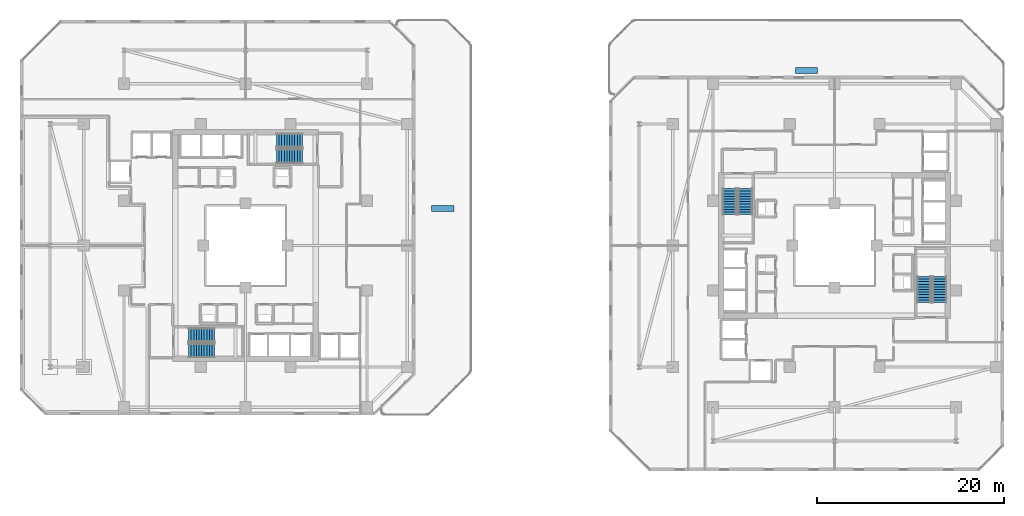
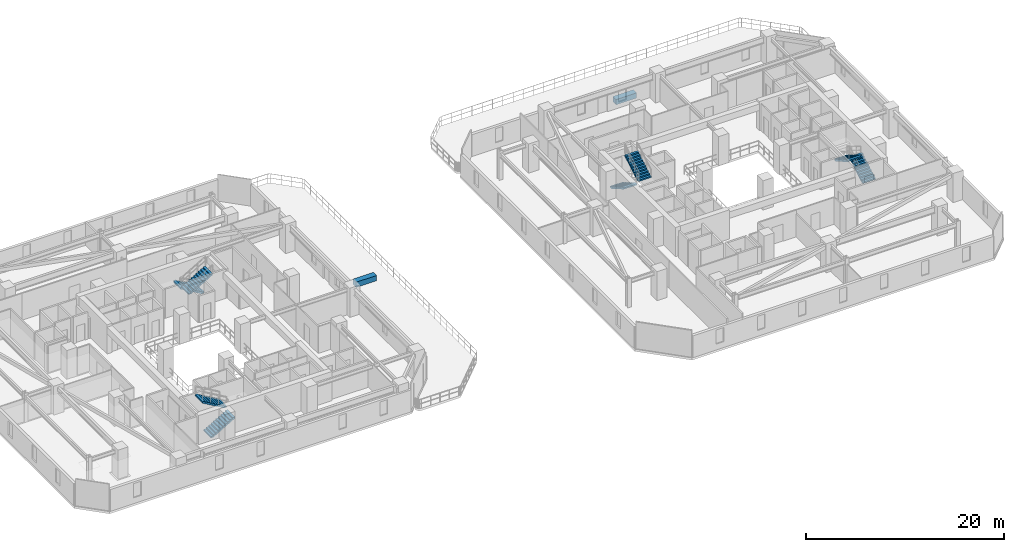
# One storey, part 28 of 33: 8 stair flights, 2 discrete accessories, 4 elements without a shape of their own.
"""IFC4 building model written with IfcOpenShell, lengths in metres."""

import ifcopenshell
import ifcopenshell.guid

model = None  # the IFC model being written
_history = None  # IfcOwnerHistory: only IFC2X3 demands one
_inside = {}  # id of a spatial element -> (the spatial element, [elements in it])
_under = {}  # id of a project, library or spatial element -> (it, [spatial elements below it])
_declared = {}  # id of a project -> (the project, [libraries it declares])
_typed = {}  # id of a type object -> (the type object, [elements of that type])
_made_of = {}  # id of a material, layer set ... -> (it, [elements and type objects made of it])


def new_model(schema):
    """Start an empty IFC model of exactly this schema.

    Asked for "IFC4X3", IfcOpenShell would pick the latest addendum, in which some entities
    have other attributes; the version numbers below select the first issue.
    IFC2X3 requires an IfcOwnerHistory on every rooted entity: one is made here for all.
    """
    global model, _history
    if schema == "IFC4X3":
        model = ifcopenshell.file(schema_version=(4, 3, 0, 0))
    else:
        model = ifcopenshell.file(schema=schema)
    _inside.clear()
    _under.clear()
    _declared.clear()
    _typed.clear()
    _made_of.clear()
    _history = None
    if model.schema == "IFC2X3":
        org = make("IfcOrganization", Name="unknown")
        user = make(
            "IfcPersonAndOrganization",
            ThePerson=make("IfcPerson", FamilyName="unknown"),
            TheOrganization=org,
        )
        app = make(
            "IfcApplication",
            ApplicationDeveloper=org,
            Version="unknown",
            ApplicationFullName="unknown",
            ApplicationIdentifier="unknown",
        )
        _history = make(
            "IfcOwnerHistory",
            OwningUser=user,
            OwningApplication=app,
            ChangeAction="ADDED",
            CreationDate=0,
        )
    return model


def make(cls, **values):
    """One entity of the class cls with the attributes given. An attribute that is None is left unset."""
    return model.create_entity(
        cls, **{name: value for name, value in values.items() if value is not None}
    )


def rooted(cls, **values):
    """An entity with a GlobalId (a new one), such as an element, a storey or a relation."""
    return make(cls, GlobalId=ifcopenshell.guid.new(), OwnerHistory=_history, **values)


def si_unit(unit_type, name, prefix=None):
    """IfcSIUnit, for example si_unit("LENGTHUNIT", "METRE", prefix="MILLI")."""
    return make("IfcSIUnit", UnitType=unit_type, Prefix=prefix, Name=name)


def assignment(units):
    """IfcUnitAssignment: the units of a project."""
    return None if units is None else make("IfcUnitAssignment", Units=units)


def point(xyz):
    """IfcCartesianPoint."""
    return None if xyz is None else make("IfcCartesianPoint", Coordinates=xyz)


def direction(xyz):
    """IfcDirection."""
    return None if xyz is None else make("IfcDirection", DirectionRatios=xyz)


def frame(location, z_axis=None, x_axis=None):
    """IfcAxis2Placement3D, a coordinate frame: its origin and axes. An axis left out is left unset."""
    return make(
        "IfcAxis2Placement3D",
        Location=point(location),
        Axis=direction(z_axis),
        RefDirection=direction(x_axis),
    )


def frame_2d(location, x_axis=None):
    """IfcAxis2Placement2D, a coordinate frame in the plane: its origin and x axis."""
    return make(
        "IfcAxis2Placement2D", Location=point(location), RefDirection=direction(x_axis)
    )


def origin():
    """The frame at (0, 0, 0) with its axes left unset."""
    return frame((0.0, 0.0, 0.0))


def origin_2d():
    """The frame at (0, 0) in the plane with its x axis left unset."""
    return frame_2d((0.0, 0.0))


def place(relative_to, where):
    """IfcLocalPlacement: puts the frame where relative to a parent placement (None: the world)."""
    return make(
        "IfcLocalPlacement", PlacementRelTo=relative_to, RelativePlacement=where
    )


def context(
    kind, dimensions, precision=None, world=None, true_north=None, identifier=None
):
    """IfcGeometricRepresentationContext, for example the 3D "Model" context."""
    return make(
        "IfcGeometricRepresentationContext",
        ContextIdentifier=identifier,
        ContextType=kind,
        CoordinateSpaceDimension=dimensions,
        Precision=precision,
        WorldCoordinateSystem=world,
        TrueNorth=true_north,
    )


def subcontext(parent, identifier, kind, view, scale=None):
    """IfcGeometricRepresentationSubContext, for example "Body" below "Model"."""
    return make(
        "IfcGeometricRepresentationSubContext",
        ContextIdentifier=identifier,
        ContextType=kind,
        ParentContext=parent,
        TargetScale=scale,
        TargetView=view,
    )


def project(units=None, contexts=None):
    """IfcProject with its units and contexts."""
    return rooted(
        "IfcProject",
        Name="project",
        RepresentationContexts=contexts,
        UnitsInContext=assignment(units),
    )


def spatial(cls, under=None, at=None, **own):
    """A site, building, storey or space (cls), placed at a placement, below another one or the project."""
    s = rooted(cls, ObjectPlacement=at, **own)
    if under is not None:
        _under.setdefault(under.id(), (under, []))[1].append(s)
    return s


def polyline(points):
    """IfcPolyline through the points."""
    return make("IfcPolyline", Points=[point(p) for p in points])


def profile(cls, at=None, kind="AREA", **sizes):
    """A parametric profile (cls). Its sizes go by their IFC names, for example OverallWidth=200.0."""
    return make(cls, ProfileType=kind, Position=at, **sizes)


def rectangle(**sizes):
    """IfcRectangleProfileDef."""
    return profile("IfcRectangleProfileDef", **sizes)


def outline(outer, holes=None, kind="AREA"):
    """IfcArbitraryClosedProfileDef: a profile drawn as a closed curve; with holes, ...WithVoids."""
    if holes is None:
        return make("IfcArbitraryClosedProfileDef", ProfileType=kind, OuterCurve=outer)
    return make(
        "IfcArbitraryProfileDefWithVoids",
        ProfileType=kind,
        OuterCurve=outer,
        InnerCurves=holes,
    )


def extrude(swept, where, along, depth):
    """IfcExtrudedAreaSolid: the profile swept, set in the frame where, extruded along a direction by depth."""
    return make(
        "IfcExtrudedAreaSolid",
        SweptArea=swept,
        Position=where,
        ExtrudedDirection=direction(along),
        Depth=depth,
    )


def shape(context_of_items, identifier, shape_type, items):
    """IfcShapeRepresentation: the items that make up one representation, for example the "Body"."""
    return make(
        "IfcShapeRepresentation",
        ContextOfItems=context_of_items,
        RepresentationIdentifier=identifier,
        RepresentationType=shape_type,
        Items=items,
    )


def material(Name=None, Category=None):
    """IfcMaterial."""
    return make("IfcMaterial", Name=Name, Category=Category)


def made_of(thing, what):
    """Note that an element or type object is made of a material, layer set ...; save() writes the relation."""
    if what is not None:
        _made_of.setdefault(what.id(), (what, []))[1].append(thing)
    return thing


def type_object(cls, material=None, **own):
    """A type object (cls), such as IfcWallType, which elements share."""
    return made_of(rooted(cls, **own), material)


def element(
    cls,
    number,
    at=None,
    inside=None,
    cuts=None,
    type_object=None,
    material=None,
    context=None,
    identifier="Body",
    shape_type=None,
    held_by="IfcProductDefinitionShape",
    body=None,
    shapes=None,
    **own,
):
    """One element of the class cls, such as IfcWall. Its Tag is "e" and its number.

    at: its placement. inside: the storey or other place that contains it. cuts: it is an
    opening in that element (IfcRelVoidsElement). A single representation is given by context,
    identifier, shape_type and body (its items); several are given by shapes. held_by: the class
    of the entity that holds the representations. save() writes the other relations.
    """
    e = rooted(cls, Tag="e%d" % number, ObjectPlacement=at, **own)
    if body is not None:
        shapes = [shape(context, identifier, shape_type, body)]
    if shapes is not None:
        e.Representation = make(held_by, Representations=shapes)
    if inside is not None:
        _inside.setdefault(inside.id(), (inside, []))[1].append(e)
    if cuts is not None:
        rooted(
            "IfcRelVoidsElement", RelatingBuildingElement=cuts, RelatedOpeningElement=e
        )
    if type_object is not None:
        _typed.setdefault(type_object.id(), (type_object, []))[1].append(e)
    return made_of(e, material)


def aggregate(whole, parts):
    """IfcRelAggregates: a whole, such as a stair, and the parts it consists of."""
    return rooted("IfcRelAggregates", RelatingObject=whole, RelatedObjects=parts)


def save(model, path):
    """Write the relations noted so far, then the file.

    IfcRelAggregates (storeys below a building ...), IfcRelContainedInSpatialStructure (elements
    in a storey), IfcRelDefinesByType, IfcRelAssociatesMaterial and IfcRelDeclares: one each for
    every whole, place, type object, material and project.
    """
    for whole, parts in _under.values():
        aggregate(whole, parts)
    for where, things in _inside.values():
        rooted(
            "IfcRelContainedInSpatialStructure",
            RelatedElements=things,
            RelatingStructure=where,
        )
    for kind, things in _typed.values():
        rooted("IfcRelDefinesByType", RelatedObjects=things, RelatingType=kind)
    for what, things in _made_of.values():
        rooted("IfcRelAssociatesMaterial", RelatedObjects=things, RelatingMaterial=what)
    for by, libraries in _declared.values():
        rooted("IfcRelDeclares", RelatingContext=by, RelatedDefinitions=libraries)
    model.write(path)


model = new_model("IFC4")

# Units and contexts
model_context = context("Model", 3, precision=1e-05, world=origin(), true_north=direction((0.0, 1.0)))
body_context = subcontext(model_context, "Body", "Model", "MODEL_VIEW")
ifc_project = project(units=[si_unit("LENGTHUNIT", "METRE"), si_unit("AREAUNIT", "SQUARE_METRE"), si_unit("VOLUMEUNIT", "CUBIC_METRE"), si_unit("PLANEANGLEUNIT", "RADIAN"), si_unit("MASSUNIT", "GRAM", prefix="KILO")], contexts=[model_context])

# Site, building, storey
site_placement = place(None, origin())
site = spatial("IfcSite", under=ifc_project, at=site_placement, CompositionType="ELEMENT")
building_placement = place(site_placement, origin())
building = spatial("IfcBuilding", under=site, at=building_placement, Name="Thornwick Lancets Civic Towers", CompositionType="ELEMENT")
storey_placement = place(building_placement, frame((0.0, 0.0, 98.10009765625)))
storey = spatial("IfcBuildingStorey", under=building, at=storey_placement, Name="L25", CompositionType="ELEMENT", Elevation=98.10009765625)

# Stair, stair flights
ifc_material_1 = material(Name="Concrete C40/50", Category="concrete")
stair_type = type_object("IfcStairType", Name="STAIR_DL_3600", PredefinedType="HALF_TURN_STAIR", material=ifc_material_1)
stair_1_placement = place(storey_placement, origin())
stair_1 = element("IfcStair", 1, at=stair_1_placement, inside=storey, type_object=stair_type, Name="L25 Tower A South Exit Stair ST-A1", PredefinedType="HALF_TURN_STAIR")
stair_flight_type = type_object("IfcStairFlightType", Name="FLIGHT_3600", PredefinedType="STRAIGHT", material=ifc_material_1)
stair_flight_1_placement = place(storey_placement, frame((19.39990234375, 15.75, 0.0), z_axis=(0.0, 0.0, 1.0), x_axis=(1.0, 0.0, 0.0)))
stair_flight_1 = element("IfcStairFlight", 2, at=stair_flight_1_placement, type_object=stair_flight_type, Name="ST-A1 flight 1", NumberOfRisers=11, NumberOfTreads=10, PredefinedType="STRAIGHT", RiserHeight=0.163636364, TreadLength=0.28, context=body_context, shape_type="SweptSolid", body=[
    extrude(outline(polyline([(0.0, 0.0), (0.0, 0.16357421875), (0.280029296875, 0.16357421875), (0.280029296875, 0.327392578125), (0.56005859375, 0.327392578125), (0.56005859375, 0.490966796875), (0.840087890625, 0.490966796875), (0.840087890625, 0.654541015625), (1.1201171875, 0.654541015625), (1.1201171875, 0.818115234375), (1.39990234375, 0.818115234375), (1.39990234375, 0.98193359375), (1.679931640625, 0.98193359375), (1.679931640625, 1.1455078125), (1.9599609375, 1.1455078125), (1.9599609375, 1.30908203125), (2.239990234375, 1.30908203125), (2.239990234375, 1.47265625), (2.52001953125, 1.47265625), (2.52001953125, 1.636474609375), (2.800048828125, 1.636474609375), (2.800048828125, 1.800048828125), (2.800048828125, 1.462646484375), (0.297119140625, 0.0), (0.0, 0.0)])), frame((0.0, 0.75, 0.0), z_axis=(0.0, -1.0, 0.0), x_axis=(1.0, 0.0, 0.0)), (0.0, 0.0, 1.0), 1.5),
])
stair_flight_2_placement = place(storey_placement, frame((22.199951171875, 17.449951171875, 1.7998046875), z_axis=(0.0, 0.0, 1.0), x_axis=(-1.0, 0.0, 0.0)))
stair_flight_2 = element("IfcStairFlight", 3, at=stair_flight_2_placement, type_object=stair_flight_type, Name="ST-A1 flight 2", NumberOfRisers=11, NumberOfTreads=10, PredefinedType="STRAIGHT", RiserHeight=0.163636364, TreadLength=0.28, context=body_context, shape_type="SweptSolid", body=[
    extrude(outline(polyline([(0.0, 0.0), (0.0, 0.16357421875), (0.280029296875, 0.16357421875), (0.280029296875, 0.327392578125), (0.56005859375, 0.327392578125), (0.56005859375, 0.490966796875), (0.840087890625, 0.490966796875), (0.840087890625, 0.654541015625), (1.1201171875, 0.654541015625), (1.1201171875, 0.818115234375), (1.39990234375, 0.818115234375), (1.39990234375, 0.98193359375), (1.679931640625, 0.98193359375), (1.679931640625, 1.1455078125), (1.9599609375, 1.1455078125), (1.9599609375, 1.30908203125), (2.239990234375, 1.30908203125), (2.239990234375, 1.47265625), (2.52001953125, 1.47265625), (2.52001953125, 1.636474609375), (2.800048828125, 1.636474609375), (2.800048828125, 1.800048828125), (2.800048828125, 1.462646484375), (0.297119140625, 0.0), (0.0, 0.0)])), frame((0.0, 0.75, 0.0), z_axis=(0.0, -1.0, 0.0), x_axis=(1.0, 0.0, 0.0)), (0.0, 0.0, 1.0), 1.5),
])
aggregate(stair_1, [stair_flight_1, stair_flight_2])

stair_2_placement = place(storey_placement, origin())
stair_2 = element("IfcStair", 4, at=stair_2_placement, inside=storey, type_object=stair_type, Name="L25 Tower A North Exit Stair ST-A2", PredefinedType="HALF_TURN_STAIR")
stair_flight_3_placement = place(storey_placement, frame((31.60009765625, 38.25, 0.0), z_axis=(0.0, 0.0, 1.0), x_axis=(-1.0, 0.0, 0.0)))
stair_flight_3 = element("IfcStairFlight", 5, at=stair_flight_3_placement, type_object=stair_flight_type, Name="ST-A2 flight 1", NumberOfRisers=11, NumberOfTreads=10, PredefinedType="STRAIGHT", RiserHeight=0.163636364, TreadLength=0.28, context=body_context, shape_type="SweptSolid", body=[
    extrude(outline(polyline([(0.0, 0.0), (0.0, 0.16357421875), (0.280029296875, 0.16357421875), (0.280029296875, 0.327392578125), (0.56005859375, 0.327392578125), (0.56005859375, 0.490966796875), (0.840087890625, 0.490966796875), (0.840087890625, 0.654541015625), (1.1201171875, 0.654541015625), (1.1201171875, 0.818115234375), (1.39990234375, 0.818115234375), (1.39990234375, 0.98193359375), (1.679931640625, 0.98193359375), (1.679931640625, 1.1455078125), (1.9599609375, 1.1455078125), (1.9599609375, 1.30908203125), (2.239990234375, 1.30908203125), (2.239990234375, 1.47265625), (2.52001953125, 1.47265625), (2.52001953125, 1.636474609375), (2.800048828125, 1.636474609375), (2.800048828125, 1.800048828125), (2.800048828125, 1.462646484375), (0.297119140625, 0.0), (0.0, 0.0)])), frame((0.0, 0.75, 0.0), z_axis=(0.0, -1.0, 0.0), x_axis=(1.0, 0.0, 0.0)), (0.0, 0.0, 1.0), 1.5),
])
stair_flight_4_placement = place(storey_placement, frame((28.800048828125, 36.550048828125, 1.7998046875), z_axis=(0.0, 0.0, 1.0), x_axis=(1.0, 0.0, 0.0)))
stair_flight_4 = element("IfcStairFlight", 6, at=stair_flight_4_placement, type_object=stair_flight_type, Name="ST-A2 flight 2", NumberOfRisers=11, NumberOfTreads=10, PredefinedType="STRAIGHT", RiserHeight=0.163636364, TreadLength=0.28, context=body_context, shape_type="SweptSolid", body=[
    extrude(outline(polyline([(0.0, 0.0), (0.0, 0.16357421875), (0.280029296875, 0.16357421875), (0.280029296875, 0.327392578125), (0.56005859375, 0.327392578125), (0.56005859375, 0.490966796875), (0.840087890625, 0.490966796875), (0.840087890625, 0.654541015625), (1.1201171875, 0.654541015625), (1.1201171875, 0.818115234375), (1.39990234375, 0.818115234375), (1.39990234375, 0.98193359375), (1.679931640625, 0.98193359375), (1.679931640625, 1.1455078125), (1.9599609375, 1.1455078125), (1.9599609375, 1.30908203125), (2.239990234375, 1.30908203125), (2.239990234375, 1.47265625), (2.52001953125, 1.47265625), (2.52001953125, 1.636474609375), (2.800048828125, 1.636474609375), (2.800048828125, 1.800048828125), (2.800048828125, 1.462646484375), (0.297119140625, 0.0), (0.0, 0.0)])), frame((0.0, 0.75, 0.0), z_axis=(0.0, -1.0, 0.0), x_axis=(1.0, 0.0, 0.0)), (0.0, 0.0, 1.0), 1.5),
])
aggregate(stair_2, [stair_flight_3, stair_flight_4])

stair_3_placement = place(storey_placement, origin())
stair_3 = element("IfcStair", 7, at=stair_3_placement, inside=storey, type_object=stair_type, Name="L25 Tower B East Exit Stair ST-B1", PredefinedType="HALF_TURN_STAIR")
stair_flight_5_placement = place(storey_placement, frame((99.75, 20.89990234375, 0.0), z_axis=(0.0, 0.0, 1.0), x_axis=(0.0, 1.0, 0.0)))
stair_flight_5 = element("IfcStairFlight", 8, at=stair_flight_5_placement, type_object=stair_flight_type, Name="ST-B1 flight 1", NumberOfRisers=11, NumberOfTreads=10, PredefinedType="STRAIGHT", RiserHeight=0.163636364, TreadLength=0.28, context=body_context, shape_type="SweptSolid", body=[
    extrude(outline(polyline([(0.0, 0.0), (0.0, 0.16357421875), (0.280029296875, 0.16357421875), (0.280029296875, 0.327392578125), (0.56005859375, 0.327392578125), (0.56005859375, 0.490966796875), (0.840087890625, 0.490966796875), (0.840087890625, 0.654541015625), (1.1201171875, 0.654541015625), (1.1201171875, 0.818115234375), (1.39990234375, 0.818115234375), (1.39990234375, 0.98193359375), (1.679931640625, 0.98193359375), (1.679931640625, 1.1455078125), (1.9599609375, 1.1455078125), (1.9599609375, 1.30908203125), (2.239990234375, 1.30908203125), (2.239990234375, 1.47265625), (2.52001953125, 1.47265625), (2.52001953125, 1.636474609375), (2.800048828125, 1.636474609375), (2.800048828125, 1.800048828125), (2.800048828125, 1.462646484375), (0.297119140625, 0.0), (0.0, 0.0)])), frame((0.0, 0.75, 0.0), z_axis=(0.0, -1.0, 0.0), x_axis=(1.0, 0.0, 0.0)), (0.0, 0.0, 1.0), 1.5),
])
stair_flight_6_placement = place(storey_placement, frame((98.050048828125, 23.699951171875, 1.7998046875), z_axis=(0.0, 0.0, 1.0), x_axis=(0.0, -1.0, 0.0)))
stair_flight_6 = element("IfcStairFlight", 9, at=stair_flight_6_placement, type_object=stair_flight_type, Name="ST-B1 flight 2", NumberOfRisers=11, NumberOfTreads=10, PredefinedType="STRAIGHT", RiserHeight=0.163636364, TreadLength=0.28, context=body_context, shape_type="SweptSolid", body=[
    extrude(outline(polyline([(0.0, 0.0), (0.0, 0.16357421875), (0.280029296875, 0.16357421875), (0.280029296875, 0.327392578125), (0.56005859375, 0.327392578125), (0.56005859375, 0.490966796875), (0.840087890625, 0.490966796875), (0.840087890625, 0.654541015625), (1.1201171875, 0.654541015625), (1.1201171875, 0.818115234375), (1.39990234375, 0.818115234375), (1.39990234375, 0.98193359375), (1.679931640625, 0.98193359375), (1.679931640625, 1.1455078125), (1.9599609375, 1.1455078125), (1.9599609375, 1.30908203125), (2.239990234375, 1.30908203125), (2.239990234375, 1.47265625), (2.52001953125, 1.47265625), (2.52001953125, 1.636474609375), (2.800048828125, 1.636474609375), (2.800048828125, 1.800048828125), (2.800048828125, 1.462646484375), (0.297119140625, 0.0), (0.0, 0.0)])), frame((0.0, 0.75, 0.0), z_axis=(0.0, -1.0, 0.0), x_axis=(1.0, 0.0, 0.0)), (0.0, 0.0, 1.0), 1.5),
])
aggregate(stair_3, [stair_flight_5, stair_flight_6])

stair_4_placement = place(storey_placement, origin())
stair_4 = element("IfcStair", 10, at=stair_4_placement, inside=storey, type_object=stair_type, Name="L25 Tower B West Exit Stair ST-B2", PredefinedType="HALF_TURN_STAIR")
stair_flight_7_placement = place(storey_placement, frame((77.25, 33.10009765625, 0.0), z_axis=(0.0, 0.0, 1.0), x_axis=(0.0, -1.0, 0.0)))
stair_flight_7 = element("IfcStairFlight", 11, at=stair_flight_7_placement, type_object=stair_flight_type, Name="ST-B2 flight 1", NumberOfRisers=11, NumberOfTreads=10, PredefinedType="STRAIGHT", RiserHeight=0.163636364, TreadLength=0.28, context=body_context, shape_type="SweptSolid", body=[
    extrude(outline(polyline([(0.0, 0.0), (0.0, 0.16357421875), (0.280029296875, 0.16357421875), (0.280029296875, 0.327392578125), (0.56005859375, 0.327392578125), (0.56005859375, 0.490966796875), (0.840087890625, 0.490966796875), (0.840087890625, 0.654541015625), (1.1201171875, 0.654541015625), (1.1201171875, 0.818115234375), (1.39990234375, 0.818115234375), (1.39990234375, 0.98193359375), (1.679931640625, 0.98193359375), (1.679931640625, 1.1455078125), (1.9599609375, 1.1455078125), (1.9599609375, 1.30908203125), (2.239990234375, 1.30908203125), (2.239990234375, 1.47265625), (2.52001953125, 1.47265625), (2.52001953125, 1.636474609375), (2.800048828125, 1.636474609375), (2.800048828125, 1.800048828125), (2.800048828125, 1.462646484375), (0.297119140625, 0.0), (0.0, 0.0)])), frame((0.0, 0.75, 0.0), z_axis=(0.0, -1.0, 0.0), x_axis=(1.0, 0.0, 0.0)), (0.0, 0.0, 1.0), 1.5),
])
stair_flight_8_placement = place(storey_placement, frame((78.949951171875, 30.300048828125, 1.7998046875), z_axis=(0.0, 0.0, 1.0), x_axis=(0.0, 1.0, 0.0)))
stair_flight_8 = element("IfcStairFlight", 12, at=stair_flight_8_placement, type_object=stair_flight_type, Name="ST-B2 flight 2", NumberOfRisers=11, NumberOfTreads=10, PredefinedType="STRAIGHT", RiserHeight=0.163636364, TreadLength=0.28, context=body_context, shape_type="SweptSolid", body=[
    extrude(outline(polyline([(0.0, 0.0), (0.0, 0.16357421875), (0.280029296875, 0.16357421875), (0.280029296875, 0.327392578125), (0.56005859375, 0.327392578125), (0.56005859375, 0.490966796875), (0.840087890625, 0.490966796875), (0.840087890625, 0.654541015625), (1.1201171875, 0.654541015625), (1.1201171875, 0.818115234375), (1.39990234375, 0.818115234375), (1.39990234375, 0.98193359375), (1.679931640625, 0.98193359375), (1.679931640625, 1.1455078125), (1.9599609375, 1.1455078125), (1.9599609375, 1.30908203125), (2.239990234375, 1.30908203125), (2.239990234375, 1.47265625), (2.52001953125, 1.47265625), (2.52001953125, 1.636474609375), (2.800048828125, 1.636474609375), (2.800048828125, 1.800048828125), (2.800048828125, 1.462646484375), (0.297119140625, 0.0), (0.0, 0.0)])), frame((0.0, 0.75, 0.0), z_axis=(0.0, -1.0, 0.0), x_axis=(1.0, 0.0, 0.0)), (0.0, 0.0, 1.0), 1.5),
])
aggregate(stair_4, [stair_flight_7, stair_flight_8])

# Discrete accessories
ifc_material_2 = material(Name="Planted terracotta greenery planter", Category="masonry")
discrete_accessory_type = type_object("IfcDiscreteAccessoryType", Name="ACC_PLANTER_BOX", PredefinedType="USERDEFINED", material=ifc_material_2)
for number, where, z_axis, x_axis, name in (
    (13, (46.610107421875, 30.98193359375, 0.0), (0.0, 0.0, 1.0), (1.0, 0.0, 0.0), "L25 Tower A Sky-Garden Planter 1"),
    (14, (85.5, 45.73486328125, 0.0), (0.0, 0.0, 1.0), (1.0, 0.0, 0.0), "L25 Tower B Sky-Garden Planter 1"),
):
    element("IfcDiscreteAccessory", number, at=place(storey_placement, frame(where, z_axis=z_axis, x_axis=x_axis)), inside=storey, type_object=discrete_accessory_type, Name=name, ObjectType="PLANTER", PredefinedType="USERDEFINED", context=body_context, shape_type="SweptSolid", body=[
        extrude(rectangle(XDim=2.39990234375, YDim=0.64990234375, at=origin_2d()), origin(), (0.0, 0.0, 1.0), 0.64990234375),
    ])

save(model, "model.ifc")
